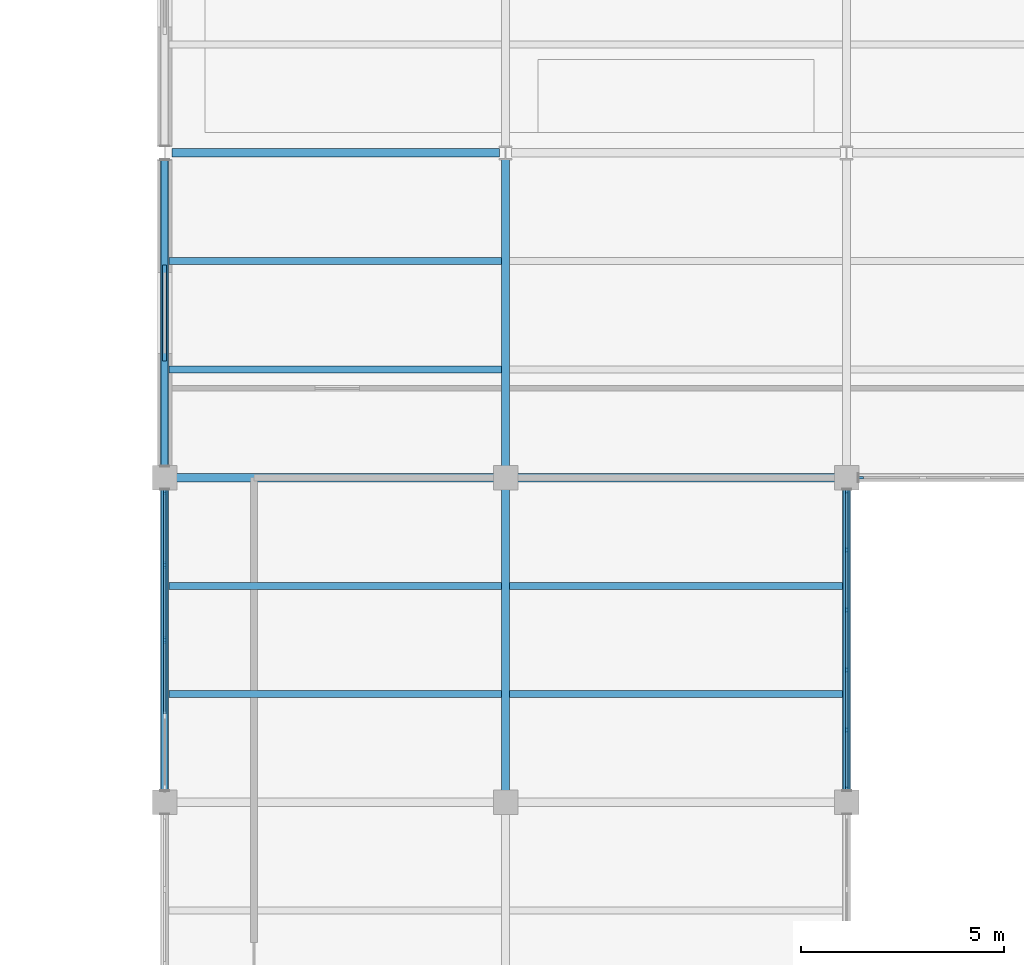
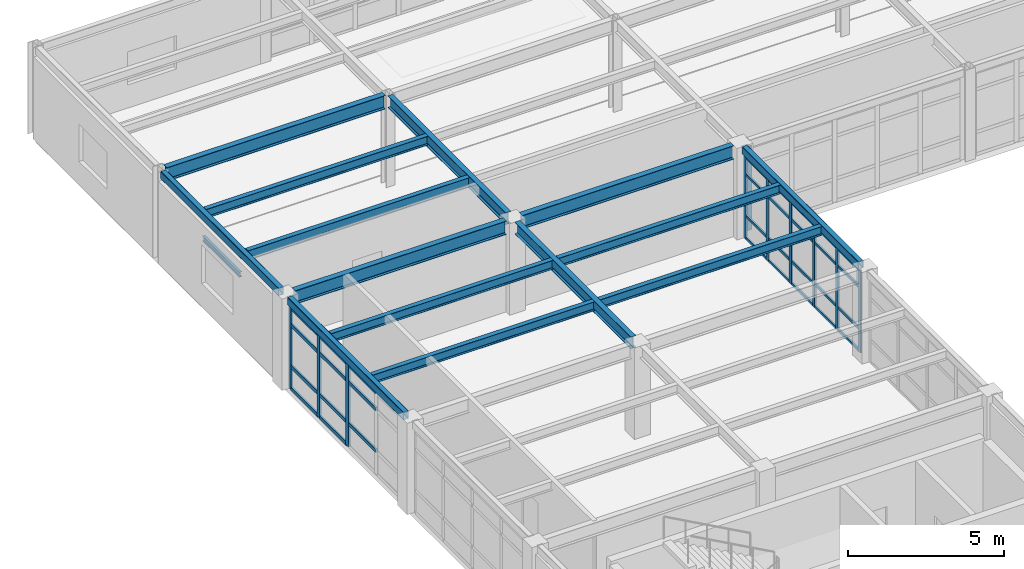
# One storey, part 27 of 96: 41 members, 15 beams, 3 elements without a shape of their own.
"""IFC4 building model written with IfcOpenShell, lengths in metres."""

from ifc_helpers import new_model, si_unit, direction, frame, origin, origin_2d, place, context, subcontext, project, spatial, rectangle, hollow_rectangle, i_section, extrude, material, layer, layer_set, material_profile, profile_set, type_object, element, aggregate, save


model = new_model("IFC4")

# Units and contexts
model_context = context("Model", 3, precision=1e-05, world=origin(), true_north=direction((0.0, 1.0)))
body_context = subcontext(model_context, "Body", "Model", "MODEL_VIEW")
ifc_project = project(units=[si_unit("LENGTHUNIT", "METRE"), si_unit("AREAUNIT", "SQUARE_METRE"), si_unit("VOLUMEUNIT", "CUBIC_METRE"), si_unit("PLANEANGLEUNIT", "RADIAN"), si_unit("MASSUNIT", "GRAM", prefix="KILO")], contexts=[model_context])

# Site, building, storey
site_placement = place(None, origin())
site = spatial("IfcSite", under=ifc_project, at=site_placement, CompositionType="ELEMENT")
building_placement = place(site_placement, origin())
building = spatial("IfcBuilding", under=site, at=building_placement, Name="Kranzveld Transit Interchange", CompositionType="ELEMENT")
storey_placement = place(building_placement, frame((0.0, 0.0, 9.52001953125)))
storey = spatial("IfcBuildingStorey", under=building, at=storey_placement, Name="L02", CompositionType="ELEMENT", Elevation=9.52001953125)

# Beams
ifc_material_1 = material(Name="Steel S355JR", Category="steel")
ifc_material_profile_1 = material_profile(ifc_material_1, i_section(OverallWidth=0.19189453125, OverallDepth=0.46337890625, WebThickness=0.010498046875, FlangeThickness=0.017578125, FilletRadius=0.01025390625, at=origin_2d()), Name="UB 457x191x89")
ifc_profile_set_1 = profile_set([ifc_material_profile_1], Name="Steel S355JR")
beam_type_1 = type_object("IfcBeamType", Name="Beam Steel UB 457x191x89 S355JR", PredefinedType="BEAM", material=ifc_profile_set_1)
beam_1_placement = place(storey_placement, frame((109.199951171875, 88.2900390625, 3.33837890625), z_axis=(0.0, 1.0, 0.0), x_axis=(-1.0, 0.0, 0.0)))
element("IfcBeam", 1, at=beam_1_placement, inside=storey, type_object=beam_type_1, Name="L02 Girder 14/M-N", PredefinedType="BEAM", context=body_context, shape_type="SweptSolid", body=[
    extrude(i_section(OverallWidth=0.19189453125, OverallDepth=0.46337890625, WebThickness=0.010498046875, FlangeThickness=0.017578125, FilletRadius=0.01025390625, at=origin_2d()), origin(), (0.0, 0.0, 1.0), 7.419921875),
])
beam_2_placement = place(storey_placement, frame((109.199951171875, 96.2900390625, 3.33837890625), z_axis=(0.0, 1.0, 0.0), x_axis=(-1.0, 0.0, 0.0)))
element("IfcBeam", 2, at=beam_2_placement, inside=storey, type_object=beam_type_1, Name="L02 Girder 14/N-P", PredefinedType="BEAM", context=body_context, shape_type="SweptSolid", body=[
    extrude(i_section(OverallWidth=0.19189453125, OverallDepth=0.46337890625, WebThickness=0.010498046875, FlangeThickness=0.017578125, FilletRadius=0.01025390625, at=origin_2d()), origin(), (0.0, 0.0, 1.0), 7.550048828125),
])

# Curtain wall, members
ifc_material_2 = material(Name="Bronze-anodised thermally broken aluminium", Category="aluminium")
ifc_layer_1 = layer(ifc_material_2, 0.14990234375)
ifc_layer_set_1 = layer_set([ifc_layer_1], Name="Bronze-anodised thermally broken aluminium")
curtain_wall_type_1 = type_object("IfcCurtainWallType", Name="Public Passage Clerestory Screen CW-4", PredefinedType="USERDEFINED", material=ifc_layer_set_1)
curtain_wall_1_placement = place(storey_placement, origin())
curtain_wall_1 = element("IfcCurtainWall", 3, at=curtain_wall_1_placement, inside=storey, type_object=curtain_wall_type_1, Name="L02 Curtain Wall 15/M-15/N", ObjectType="CURTAIN WALL", PredefinedType="USERDEFINED")
ifc_material_3 = material(Name="Bronze-anodised thermally broken aluminium", Category="aluminium")
ifc_material_profile_2 = material_profile(ifc_material_3, rectangle(XDim=0.06005859375, YDim=0.14990234375, at=origin_2d()), Name="ALU MULLION 60x150")
ifc_profile_set_2 = profile_set([ifc_material_profile_2], Name="Bronze-anodised thermally broken aluminium")
member_type_1 = type_object("IfcMemberType", Name="Curtain Wall Mullion 60x150 Alu", PredefinedType="MULLION", material=ifc_profile_set_2)
member_1_placement = place(storey_placement, frame((117.60009765625, 88.330078125, 0.0), z_axis=(0.0, 0.0, 1.0), x_axis=(-1.0, 0.0, 0.0)))
member_1 = element("IfcMember", 4, at=member_1_placement, type_object=member_type_1, Name="CW-4 mullion 1", PredefinedType="MULLION", context=body_context, shape_type="SweptSolid", body=[
    extrude(rectangle(XDim=0.06005859375, YDim=0.14990234375, at=origin_2d()), origin(), (0.0, 0.0, 1.0), 3.218505859375),
])
member_2_placement = place(storey_placement, frame((117.60009765625, 89.780029296875, 0.0), z_axis=(0.0, 0.0, 1.0), x_axis=(-1.0, 0.0, 0.0)))
member_2 = element("IfcMember", 5, at=member_2_placement, type_object=member_type_1, Name="CW-4 mullion 2", PredefinedType="MULLION", context=body_context, shape_type="SweptSolid", body=[
    extrude(rectangle(XDim=0.06005859375, YDim=0.14990234375, at=origin_2d()), origin(), (0.0, 0.0, 1.0), 3.218505859375),
])
member_3_placement = place(storey_placement, frame((117.60009765625, 91.260009765625, 0.0), z_axis=(0.0, 0.0, 1.0), x_axis=(-1.0, 0.0, 0.0)))
member_3 = element("IfcMember", 6, at=member_3_placement, type_object=member_type_1, Name="CW-4 mullion 3", PredefinedType="MULLION", context=body_context, shape_type="SweptSolid", body=[
    extrude(rectangle(XDim=0.06005859375, YDim=0.14990234375, at=origin_2d()), origin(), (0.0, 0.0, 1.0), 3.218505859375),
])
member_4_placement = place(storey_placement, frame((117.60009765625, 92.739990234375, 0.0), z_axis=(0.0, 0.0, 1.0), x_axis=(-1.0, 0.0, 0.0)))
member_4 = element("IfcMember", 7, at=member_4_placement, type_object=member_type_1, Name="CW-4 mullion 4", PredefinedType="MULLION", context=body_context, shape_type="SweptSolid", body=[
    extrude(rectangle(XDim=0.06005859375, YDim=0.14990234375, at=origin_2d()), origin(), (0.0, 0.0, 1.0), 3.218505859375),
])
member_5_placement = place(storey_placement, frame((117.60009765625, 94.219970703125, 0.0), z_axis=(0.0, 0.0, 1.0), x_axis=(-1.0, 0.0, 0.0)))
member_5 = element("IfcMember", 8, at=member_5_placement, type_object=member_type_1, Name="CW-4 mullion 5", PredefinedType="MULLION", context=body_context, shape_type="SweptSolid", body=[
    extrude(rectangle(XDim=0.06005859375, YDim=0.14990234375, at=origin_2d()), origin(), (0.0, 0.0, 1.0), 3.218505859375),
])
member_6_placement = place(storey_placement, frame((117.60009765625, 95.669921875, 0.0), z_axis=(0.0, 0.0, 1.0), x_axis=(-1.0, 0.0, 0.0)))
member_6 = element("IfcMember", 9, at=member_6_placement, type_object=member_type_1, Name="CW-4 mullion 6", PredefinedType="MULLION", context=body_context, shape_type="SweptSolid", body=[
    extrude(rectangle(XDim=0.06005859375, YDim=0.14990234375, at=origin_2d()), origin(), (0.0, 0.0, 1.0), 3.218505859375),
])

# Curtain wall, member
ifc_material_4 = material(Name="Bronze-anodised thermally broken aluminium", Category="aluminium")
ifc_layer_2 = layer(ifc_material_4, 0.155029296875)
ifc_layer_set_2 = layer_set([ifc_layer_2], Name="Bronze-anodised thermally broken aluminium")
curtain_wall_type_2 = type_object("IfcCurtainWallType", Name="Operations Courtyard Glazed Screen CW-6", PredefinedType="USERDEFINED", material=ifc_layer_set_2)
curtain_wall_2_placement = place(storey_placement, origin())
curtain_wall_2 = element("IfcCurtainWall", 10, at=curtain_wall_2_placement, inside=storey, type_object=curtain_wall_type_2, Name="L02 Curtain Wall 15/N-16/N", ObjectType="CURTAIN WALL", PredefinedType="USERDEFINED")
ifc_material_5 = material(Name="Bronze-anodised thermally broken aluminium", Category="aluminium")
ifc_material_profile_3 = material_profile(ifc_material_5, rectangle(XDim=0.06494140625, YDim=0.1650390625, at=origin_2d()), Name="ALU MULLION 65x165")
ifc_profile_set_3 = profile_set([ifc_material_profile_3], Name="Bronze-anodised thermally broken aluminium")
member_type_2 = type_object("IfcMemberType", Name="Curtain Wall Mullion 65x165 Alu", PredefinedType="MULLION", material=ifc_profile_set_3)
member_7_placement = place(storey_placement, frame((117.9326171875, 96.0, 0.0), z_axis=(0.0, 0.0, 1.0), x_axis=(0.0, 1.0, 0.0)))
member_7 = element("IfcMember", 11, at=member_7_placement, type_object=member_type_2, Name="CW-6 mullion 1", PredefinedType="MULLION", context=body_context, shape_type="SweptSolid", body=[
    extrude(rectangle(XDim=0.06494140625, YDim=0.1650390625, at=origin_2d()), origin(), (0.0, 0.0, 1.0), 3.27001953125),
])
aggregate(curtain_wall_2, [member_7])

# Curtain wall, members
ifc_material_6 = material(Name="Bronze-anodised thermally broken aluminium", Category="aluminium")
ifc_layer_3 = layer(ifc_material_6, 0.179931640625)
ifc_layer_set_3 = layer_set([ifc_layer_3], Name="Bronze-anodised thermally broken aluminium")
curtain_wall_type_3 = type_object("IfcCurtainWallType", Name="Concourse Unitised Curtain Wall CW-1", PredefinedType="USERDEFINED", material=ifc_layer_set_3)
curtain_wall_3_placement = place(storey_placement, origin())
curtain_wall_3 = element("IfcCurtainWall", 12, at=curtain_wall_3_placement, inside=storey, type_object=curtain_wall_type_3, Name="L02 Curtain Wall 13/M-13/N", ObjectType="CURTAIN WALL", PredefinedType="USERDEFINED")
ifc_material_7 = material(Name="Bronze-anodised thermally broken aluminium", Category="aluminium")
ifc_material_profile_4 = material_profile(ifc_material_7, rectangle(XDim=0.06494140625, YDim=0.179931640625, at=origin_2d()), Name="ALU MULLION 65x180")
ifc_profile_set_4 = profile_set([ifc_material_profile_4], Name="Bronze-anodised thermally broken aluminium")
member_type_3 = type_object("IfcMemberType", Name="Curtain Wall Mullion 65x180 Alu", PredefinedType="MULLION", material=ifc_profile_set_4)
member_8_placement = place(storey_placement, frame((100.800048828125, 92.0, 0.0), z_axis=(0.0, 0.0, 1.0), x_axis=(-1.0, 0.0, 0.0)))
member_8 = element("IfcMember", 13, at=member_8_placement, type_object=member_type_3, Name="CW-1 mullion 3", PredefinedType="MULLION", context=body_context, shape_type="SweptSolid", body=[
    extrude(rectangle(XDim=0.06494140625, YDim=0.179931640625, at=origin_2d()), origin(), (0.0, 0.0, 1.0), 3.218505859375),
])
member_9_placement = place(storey_placement, frame((100.800048828125, 93.85009765625, 0.0), z_axis=(0.0, 0.0, 1.0), x_axis=(-1.0, 0.0, 0.0)))
member_9 = element("IfcMember", 14, at=member_9_placement, type_object=member_type_3, Name="CW-1 mullion 4", PredefinedType="MULLION", context=body_context, shape_type="SweptSolid", body=[
    extrude(rectangle(XDim=0.06494140625, YDim=0.179931640625, at=origin_2d()), origin(), (0.0, 0.0, 1.0), 3.218505859375),
])
member_10_placement = place(storey_placement, frame((100.800048828125, 95.66748046875, 0.0), z_axis=(0.0, 0.0, 1.0), x_axis=(-1.0, 0.0, 0.0)))
member_10 = element("IfcMember", 15, at=member_10_placement, type_object=member_type_3, Name="CW-1 mullion 5", PredefinedType="MULLION", context=body_context, shape_type="SweptSolid", body=[
    extrude(rectangle(XDim=0.06494140625, YDim=0.179931640625, at=origin_2d()), origin(), (0.0, 0.0, 1.0), 3.218505859375),
])

# Member
ifc_material_8 = material(Name="Bronze-anodised thermally broken aluminium", Category="aluminium")
ifc_material_profile_5 = material_profile(ifc_material_8, rectangle(XDim=0.06005859375, YDim=0.110107421875, at=origin_2d()), Name="ALU TRANSOM 60x110")
ifc_profile_set_5 = profile_set([ifc_material_profile_5], Name="Bronze-anodised thermally broken aluminium")
member_type_4 = type_object("IfcMemberType", Name="Curtain Wall Transom 60x110 Alu", PredefinedType="USERDEFINED", material=ifc_profile_set_5)
member_11_placement = place(storey_placement, frame((117.60009765625, 88.360107421875, 0.030029296875), z_axis=(0.0, 1.0, 0.0), x_axis=(-1.0, 0.0, 0.0)))
member_11 = element("IfcMember", 16, at=member_11_placement, type_object=member_type_4, Name="CW-4 transom 1.1", ObjectType="TRANSOM", PredefinedType="USERDEFINED", context=body_context, shape_type="SweptSolid", body=[
    extrude(rectangle(XDim=0.06005859375, YDim=0.110107421875, at=origin_2d()), origin(), (0.0, 0.0, 1.0), 1.389892578125),
])

member_12_placement = place(storey_placement, frame((117.60009765625, 88.360107421875, 0.89990234375), z_axis=(0.0, 1.0, 0.0), x_axis=(-1.0, 0.0, 0.0)))
member_12 = element("IfcMember", 17, at=member_12_placement, type_object=member_type_4, Name="CW-4 transom 1.2", ObjectType="TRANSOM", PredefinedType="USERDEFINED", context=body_context, shape_type="SweptSolid", body=[
    extrude(rectangle(XDim=0.06005859375, YDim=0.110107421875, at=origin_2d()), origin(), (0.0, 0.0, 1.0), 1.389892578125),
])

member_13_placement = place(storey_placement, frame((117.60009765625, 88.360107421875, 2.5185546875), z_axis=(0.0, 1.0, 0.0), x_axis=(-1.0, 0.0, 0.0)))
member_13 = element("IfcMember", 18, at=member_13_placement, type_object=member_type_4, Name="CW-4 transom 1.3", ObjectType="TRANSOM", PredefinedType="USERDEFINED", context=body_context, shape_type="SweptSolid", body=[
    extrude(rectangle(XDim=0.06005859375, YDim=0.110107421875, at=origin_2d()), origin(), (0.0, 0.0, 1.0), 1.389892578125),
])

member_14_placement = place(storey_placement, frame((117.60009765625, 88.360107421875, 3.1884765625), z_axis=(0.0, 1.0, 0.0), x_axis=(-1.0, 0.0, 0.0)))
member_14 = element("IfcMember", 19, at=member_14_placement, type_object=member_type_4, Name="CW-4 transom 1.4", ObjectType="TRANSOM", PredefinedType="USERDEFINED", context=body_context, shape_type="SweptSolid", body=[
    extrude(rectangle(XDim=0.06005859375, YDim=0.110107421875, at=origin_2d()), origin(), (0.0, 0.0, 1.0), 1.389892578125),
])

member_15_placement = place(storey_placement, frame((117.60009765625, 89.81005859375, 0.030029296875), z_axis=(0.0, 1.0, 0.0), x_axis=(-1.0, 0.0, 0.0)))
member_15 = element("IfcMember", 20, at=member_15_placement, type_object=member_type_4, Name="CW-4 transom 2.1", ObjectType="TRANSOM", PredefinedType="USERDEFINED", context=body_context, shape_type="SweptSolid", body=[
    extrude(rectangle(XDim=0.06005859375, YDim=0.110107421875, at=origin_2d()), origin(), (0.0, 0.0, 1.0), 1.419921875),
])

member_16_placement = place(storey_placement, frame((117.60009765625, 89.81005859375, 0.89990234375), z_axis=(0.0, 1.0, 0.0), x_axis=(-1.0, 0.0, 0.0)))
member_16 = element("IfcMember", 21, at=member_16_placement, type_object=member_type_4, Name="CW-4 transom 2.2", ObjectType="TRANSOM", PredefinedType="USERDEFINED", context=body_context, shape_type="SweptSolid", body=[
    extrude(rectangle(XDim=0.06005859375, YDim=0.110107421875, at=origin_2d()), origin(), (0.0, 0.0, 1.0), 1.419921875),
])

member_17_placement = place(storey_placement, frame((117.60009765625, 89.81005859375, 2.5185546875), z_axis=(0.0, 1.0, 0.0), x_axis=(-1.0, 0.0, 0.0)))
member_17 = element("IfcMember", 22, at=member_17_placement, type_object=member_type_4, Name="CW-4 transom 2.3", ObjectType="TRANSOM", PredefinedType="USERDEFINED", context=body_context, shape_type="SweptSolid", body=[
    extrude(rectangle(XDim=0.06005859375, YDim=0.110107421875, at=origin_2d()), origin(), (0.0, 0.0, 1.0), 1.419921875),
])

member_18_placement = place(storey_placement, frame((117.60009765625, 89.81005859375, 3.1884765625), z_axis=(0.0, 1.0, 0.0), x_axis=(-1.0, 0.0, 0.0)))
member_18 = element("IfcMember", 23, at=member_18_placement, type_object=member_type_4, Name="CW-4 transom 2.4", ObjectType="TRANSOM", PredefinedType="USERDEFINED", context=body_context, shape_type="SweptSolid", body=[
    extrude(rectangle(XDim=0.06005859375, YDim=0.110107421875, at=origin_2d()), origin(), (0.0, 0.0, 1.0), 1.419921875),
])

member_19_placement = place(storey_placement, frame((117.60009765625, 91.2900390625, 0.030029296875), z_axis=(0.0, 1.0, 0.0), x_axis=(-1.0, 0.0, 0.0)))
member_19 = element("IfcMember", 24, at=member_19_placement, type_object=member_type_4, Name="CW-4 transom 3.1", ObjectType="TRANSOM", PredefinedType="USERDEFINED", context=body_context, shape_type="SweptSolid", body=[
    extrude(rectangle(XDim=0.06005859375, YDim=0.110107421875, at=origin_2d()), origin(), (0.0, 0.0, 1.0), 1.419921875),
])

member_20_placement = place(storey_placement, frame((117.60009765625, 91.2900390625, 0.89990234375), z_axis=(0.0, 1.0, 0.0), x_axis=(-1.0, 0.0, 0.0)))
member_20 = element("IfcMember", 25, at=member_20_placement, type_object=member_type_4, Name="CW-4 transom 3.2", ObjectType="TRANSOM", PredefinedType="USERDEFINED", context=body_context, shape_type="SweptSolid", body=[
    extrude(rectangle(XDim=0.06005859375, YDim=0.110107421875, at=origin_2d()), origin(), (0.0, 0.0, 1.0), 1.419921875),
])

member_21_placement = place(storey_placement, frame((117.60009765625, 91.2900390625, 2.5185546875), z_axis=(0.0, 1.0, 0.0), x_axis=(-1.0, 0.0, 0.0)))
member_21 = element("IfcMember", 26, at=member_21_placement, type_object=member_type_4, Name="CW-4 transom 3.3", ObjectType="TRANSOM", PredefinedType="USERDEFINED", context=body_context, shape_type="SweptSolid", body=[
    extrude(rectangle(XDim=0.06005859375, YDim=0.110107421875, at=origin_2d()), origin(), (0.0, 0.0, 1.0), 1.419921875),
])

member_22_placement = place(storey_placement, frame((117.60009765625, 91.2900390625, 3.1884765625), z_axis=(0.0, 1.0, 0.0), x_axis=(-1.0, 0.0, 0.0)))
member_22 = element("IfcMember", 27, at=member_22_placement, type_object=member_type_4, Name="CW-4 transom 3.4", ObjectType="TRANSOM", PredefinedType="USERDEFINED", context=body_context, shape_type="SweptSolid", body=[
    extrude(rectangle(XDim=0.06005859375, YDim=0.110107421875, at=origin_2d()), origin(), (0.0, 0.0, 1.0), 1.419921875),
])

member_23_placement = place(storey_placement, frame((117.60009765625, 92.77001953125, 0.030029296875), z_axis=(0.0, 1.0, 0.0), x_axis=(-1.0, 0.0, 0.0)))
member_23 = element("IfcMember", 28, at=member_23_placement, type_object=member_type_4, Name="CW-4 transom 4.1", ObjectType="TRANSOM", PredefinedType="USERDEFINED", context=body_context, shape_type="SweptSolid", body=[
    extrude(rectangle(XDim=0.06005859375, YDim=0.110107421875, at=origin_2d()), origin(), (0.0, 0.0, 1.0), 1.419921875),
])

member_24_placement = place(storey_placement, frame((117.60009765625, 92.77001953125, 0.89990234375), z_axis=(0.0, 1.0, 0.0), x_axis=(-1.0, 0.0, 0.0)))
member_24 = element("IfcMember", 29, at=member_24_placement, type_object=member_type_4, Name="CW-4 transom 4.2", ObjectType="TRANSOM", PredefinedType="USERDEFINED", context=body_context, shape_type="SweptSolid", body=[
    extrude(rectangle(XDim=0.06005859375, YDim=0.110107421875, at=origin_2d()), origin(), (0.0, 0.0, 1.0), 1.419921875),
])

member_25_placement = place(storey_placement, frame((117.60009765625, 92.77001953125, 2.5185546875), z_axis=(0.0, 1.0, 0.0), x_axis=(-1.0, 0.0, 0.0)))
member_25 = element("IfcMember", 30, at=member_25_placement, type_object=member_type_4, Name="CW-4 transom 4.3", ObjectType="TRANSOM", PredefinedType="USERDEFINED", context=body_context, shape_type="SweptSolid", body=[
    extrude(rectangle(XDim=0.06005859375, YDim=0.110107421875, at=origin_2d()), origin(), (0.0, 0.0, 1.0), 1.419921875),
])

member_26_placement = place(storey_placement, frame((117.60009765625, 92.77001953125, 3.1884765625), z_axis=(0.0, 1.0, 0.0), x_axis=(-1.0, 0.0, 0.0)))
member_26 = element("IfcMember", 31, at=member_26_placement, type_object=member_type_4, Name="CW-4 transom 4.4", ObjectType="TRANSOM", PredefinedType="USERDEFINED", context=body_context, shape_type="SweptSolid", body=[
    extrude(rectangle(XDim=0.06005859375, YDim=0.110107421875, at=origin_2d()), origin(), (0.0, 0.0, 1.0), 1.419921875),
])

member_27_placement = place(storey_placement, frame((117.60009765625, 94.25, 0.030029296875), z_axis=(0.0, 1.0, 0.0), x_axis=(-1.0, 0.0, 0.0)))
member_27 = element("IfcMember", 32, at=member_27_placement, type_object=member_type_4, Name="CW-4 transom 5.1", ObjectType="TRANSOM", PredefinedType="USERDEFINED", context=body_context, shape_type="SweptSolid", body=[
    extrude(rectangle(XDim=0.06005859375, YDim=0.110107421875, at=origin_2d()), origin(), (0.0, 0.0, 1.0), 1.389892578125),
])

member_28_placement = place(storey_placement, frame((117.60009765625, 94.25, 0.89990234375), z_axis=(0.0, 1.0, 0.0), x_axis=(-1.0, 0.0, 0.0)))
member_28 = element("IfcMember", 33, at=member_28_placement, type_object=member_type_4, Name="CW-4 transom 5.2", ObjectType="TRANSOM", PredefinedType="USERDEFINED", context=body_context, shape_type="SweptSolid", body=[
    extrude(rectangle(XDim=0.06005859375, YDim=0.110107421875, at=origin_2d()), origin(), (0.0, 0.0, 1.0), 1.389892578125),
])

member_29_placement = place(storey_placement, frame((117.60009765625, 94.25, 2.5185546875), z_axis=(0.0, 1.0, 0.0), x_axis=(-1.0, 0.0, 0.0)))
member_29 = element("IfcMember", 34, at=member_29_placement, type_object=member_type_4, Name="CW-4 transom 5.3", ObjectType="TRANSOM", PredefinedType="USERDEFINED", context=body_context, shape_type="SweptSolid", body=[
    extrude(rectangle(XDim=0.06005859375, YDim=0.110107421875, at=origin_2d()), origin(), (0.0, 0.0, 1.0), 1.389892578125),
])

member_30_placement = place(storey_placement, frame((117.60009765625, 94.25, 3.1884765625), z_axis=(0.0, 1.0, 0.0), x_axis=(-1.0, 0.0, 0.0)))
member_30 = element("IfcMember", 35, at=member_30_placement, type_object=member_type_4, Name="CW-4 transom 5.4", ObjectType="TRANSOM", PredefinedType="USERDEFINED", context=body_context, shape_type="SweptSolid", body=[
    extrude(rectangle(XDim=0.06005859375, YDim=0.110107421875, at=origin_2d()), origin(), (0.0, 0.0, 1.0), 1.389892578125),
])

aggregate(curtain_wall_1, [member_1, member_2, member_3, member_4, member_5, member_6, member_11, member_12, member_13, member_14, member_15, member_16, member_17, member_18, member_19, member_20, member_21, member_22, member_23, member_24, member_25, member_26, member_27, member_28, member_29, member_30])

ifc_material_9 = material(Name="Bronze-anodised thermally broken aluminium", Category="aluminium")
ifc_material_profile_6 = material_profile(ifc_material_9, rectangle(XDim=0.06494140625, YDim=0.139892578125, at=origin_2d()), Name="ALU TRANSOM 65x140")
ifc_profile_set_6 = profile_set([ifc_material_profile_6], Name="Bronze-anodised thermally broken aluminium")
member_type_5 = type_object("IfcMemberType", Name="Curtain Wall Transom 65x140 Alu", PredefinedType="USERDEFINED", material=ifc_profile_set_6)
member_31_placement = place(storey_placement, frame((100.800048828125, 90.1826171875, 0.89990234375), z_axis=(0.0, 1.0, 0.0), x_axis=(-1.0, 0.0, 0.0)))
member_31 = element("IfcMember", 36, at=member_31_placement, type_object=member_type_5, Name="CW-1 transom 2.2", ObjectType="TRANSOM", PredefinedType="USERDEFINED", context=body_context, shape_type="SweptSolid", body=[
    extrude(rectangle(XDim=0.06494140625, YDim=0.139892578125, at=origin_2d()), origin(), (0.0, 0.0, 1.0), 1.784912109375),
])

member_32_placement = place(storey_placement, frame((100.800048828125, 90.1826171875, 2.5185546875), z_axis=(0.0, 1.0, 0.0), x_axis=(-1.0, 0.0, 0.0)))
member_32 = element("IfcMember", 37, at=member_32_placement, type_object=member_type_5, Name="CW-1 transom 2.3", ObjectType="TRANSOM", PredefinedType="USERDEFINED", context=body_context, shape_type="SweptSolid", body=[
    extrude(rectangle(XDim=0.06494140625, YDim=0.139892578125, at=origin_2d()), origin(), (0.0, 0.0, 1.0), 1.784912109375),
])

member_33_placement = place(storey_placement, frame((100.800048828125, 90.1826171875, 3.18603515625), z_axis=(0.0, 1.0, 0.0), x_axis=(-1.0, 0.0, 0.0)))
member_33 = element("IfcMember", 38, at=member_33_placement, type_object=member_type_5, Name="CW-1 transom 2.4", ObjectType="TRANSOM", PredefinedType="USERDEFINED", context=body_context, shape_type="SweptSolid", body=[
    extrude(rectangle(XDim=0.06494140625, YDim=0.139892578125, at=origin_2d()), origin(), (0.0, 0.0, 1.0), 1.784912109375),
])

member_34_placement = place(storey_placement, frame((100.800048828125, 92.032470703125, 0.032470703125), z_axis=(0.0, 1.0, 0.0), x_axis=(-1.0, 0.0, 0.0)))
member_34 = element("IfcMember", 39, at=member_34_placement, type_object=member_type_5, Name="CW-1 transom 3.1", ObjectType="TRANSOM", PredefinedType="USERDEFINED", context=body_context, shape_type="SweptSolid", body=[
    extrude(rectangle(XDim=0.06494140625, YDim=0.139892578125, at=origin_2d()), origin(), (0.0, 0.0, 1.0), 1.784912109375),
])

member_35_placement = place(storey_placement, frame((100.800048828125, 92.032470703125, 0.89990234375), z_axis=(0.0, 1.0, 0.0), x_axis=(-1.0, 0.0, 0.0)))
member_35 = element("IfcMember", 40, at=member_35_placement, type_object=member_type_5, Name="CW-1 transom 3.2", ObjectType="TRANSOM", PredefinedType="USERDEFINED", context=body_context, shape_type="SweptSolid", body=[
    extrude(rectangle(XDim=0.06494140625, YDim=0.139892578125, at=origin_2d()), origin(), (0.0, 0.0, 1.0), 1.784912109375),
])

member_36_placement = place(storey_placement, frame((100.800048828125, 92.032470703125, 2.5185546875), z_axis=(0.0, 1.0, 0.0), x_axis=(-1.0, 0.0, 0.0)))
member_36 = element("IfcMember", 41, at=member_36_placement, type_object=member_type_5, Name="CW-1 transom 3.3", ObjectType="TRANSOM", PredefinedType="USERDEFINED", context=body_context, shape_type="SweptSolid", body=[
    extrude(rectangle(XDim=0.06494140625, YDim=0.139892578125, at=origin_2d()), origin(), (0.0, 0.0, 1.0), 1.784912109375),
])

member_37_placement = place(storey_placement, frame((100.800048828125, 92.032470703125, 3.18603515625), z_axis=(0.0, 1.0, 0.0), x_axis=(-1.0, 0.0, 0.0)))
member_37 = element("IfcMember", 42, at=member_37_placement, type_object=member_type_5, Name="CW-1 transom 3.4", ObjectType="TRANSOM", PredefinedType="USERDEFINED", context=body_context, shape_type="SweptSolid", body=[
    extrude(rectangle(XDim=0.06494140625, YDim=0.139892578125, at=origin_2d()), origin(), (0.0, 0.0, 1.0), 1.784912109375),
])

member_38_placement = place(storey_placement, frame((100.800048828125, 93.882568359375, 0.032470703125), z_axis=(0.0, 1.0, 0.0), x_axis=(-1.0, 0.0, 0.0)))
member_38 = element("IfcMember", 43, at=member_38_placement, type_object=member_type_5, Name="CW-1 transom 4.1", ObjectType="TRANSOM", PredefinedType="USERDEFINED", context=body_context, shape_type="SweptSolid", body=[
    extrude(rectangle(XDim=0.06494140625, YDim=0.139892578125, at=origin_2d()), origin(), (0.0, 0.0, 1.0), 1.75244140625),
])

member_39_placement = place(storey_placement, frame((100.800048828125, 93.882568359375, 0.89990234375), z_axis=(0.0, 1.0, 0.0), x_axis=(-1.0, 0.0, 0.0)))
member_39 = element("IfcMember", 44, at=member_39_placement, type_object=member_type_5, Name="CW-1 transom 4.2", ObjectType="TRANSOM", PredefinedType="USERDEFINED", context=body_context, shape_type="SweptSolid", body=[
    extrude(rectangle(XDim=0.06494140625, YDim=0.139892578125, at=origin_2d()), origin(), (0.0, 0.0, 1.0), 1.75244140625),
])

member_40_placement = place(storey_placement, frame((100.800048828125, 93.882568359375, 2.5185546875), z_axis=(0.0, 1.0, 0.0), x_axis=(-1.0, 0.0, 0.0)))
member_40 = element("IfcMember", 45, at=member_40_placement, type_object=member_type_5, Name="CW-1 transom 4.3", ObjectType="TRANSOM", PredefinedType="USERDEFINED", context=body_context, shape_type="SweptSolid", body=[
    extrude(rectangle(XDim=0.06494140625, YDim=0.139892578125, at=origin_2d()), origin(), (0.0, 0.0, 1.0), 1.75244140625),
])

member_41_placement = place(storey_placement, frame((100.800048828125, 93.882568359375, 3.18603515625), z_axis=(0.0, 1.0, 0.0), x_axis=(-1.0, 0.0, 0.0)))
member_41 = element("IfcMember", 46, at=member_41_placement, type_object=member_type_5, Name="CW-1 transom 4.4", ObjectType="TRANSOM", PredefinedType="USERDEFINED", context=body_context, shape_type="SweptSolid", body=[
    extrude(rectangle(XDim=0.06494140625, YDim=0.139892578125, at=origin_2d()), origin(), (0.0, 0.0, 1.0), 1.75244140625),
])

aggregate(curtain_wall_3, [member_8, member_9, member_10, member_31, member_32, member_33, member_34, member_35, member_36, member_37, member_38, member_39, member_40, member_41])

# Beams
ifc_material_10 = material(Name="Steel S355JR", Category="steel")
ifc_material_profile_7 = material_profile(ifc_material_10, hollow_rectangle(XDim=0.199951171875, YDim=0.300048828125, WallThickness=0.010009765625, InnerFilletRadius=0.014892578125, OuterFilletRadius=0.02490234375, at=origin_2d()), Name="RHS 300x200x10")
ifc_profile_set_7 = profile_set([ifc_material_profile_7], Name="Steel S355JR")
beam_type_2 = type_object("IfcBeamType", Name="Edge Spandrel RHS 300x200x10 S355JR", PredefinedType="SPANDREL", material=ifc_profile_set_7)
beam_3_placement = place(storey_placement, frame((100.800048828125, 88.2900390625, 3.419921875), z_axis=(0.0, 1.0, 0.0), x_axis=(-1.0, 0.0, 0.0)))
element("IfcBeam", 47, at=beam_3_placement, inside=storey, type_object=beam_type_2, Name="L02 Girder 13/M-N", PredefinedType="SPANDREL", context=body_context, shape_type="SweptSolid", body=[
    extrude(hollow_rectangle(XDim=0.199951171875, YDim=0.300048828125, WallThickness=0.010009765625, InnerFilletRadius=0.014892578125, OuterFilletRadius=0.02490234375, at=origin_2d()), origin(), (0.0, 0.0, 1.0), 7.419921875),
])
beam_4_placement = place(storey_placement, frame((100.800048828125, 96.2900390625, 3.419921875), z_axis=(0.0, 1.0, 0.0), x_axis=(-1.0, 0.0, 0.0)))
element("IfcBeam", 48, at=beam_4_placement, inside=storey, type_object=beam_type_2, Name="L02 Girder 13/N-P", PredefinedType="SPANDREL", context=body_context, shape_type="SweptSolid", body=[
    extrude(hollow_rectangle(XDim=0.199951171875, YDim=0.300048828125, WallThickness=0.010009765625, InnerFilletRadius=0.014892578125, OuterFilletRadius=0.02490234375, at=origin_2d()), origin(), (0.0, 0.0, 1.0), 7.53271484375),
])
beam_5_placement = place(storey_placement, frame((117.60009765625, 88.2900390625, 3.419921875), z_axis=(0.0, 1.0, 0.0), x_axis=(-1.0, 0.0, 0.0)))
element("IfcBeam", 49, at=beam_5_placement, inside=storey, type_object=beam_type_2, Name="L02 Girder 15/M-N", PredefinedType="SPANDREL", context=body_context, shape_type="SweptSolid", body=[
    extrude(hollow_rectangle(XDim=0.199951171875, YDim=0.300048828125, WallThickness=0.010009765625, InnerFilletRadius=0.014892578125, OuterFilletRadius=0.02490234375, at=origin_2d()), origin(), (0.0, 0.0, 1.0), 7.419921875),
])
ifc_material_11 = material(Name="Steel S355JR", Category="steel")
ifc_material_profile_8 = material_profile(ifc_material_11, i_section(OverallWidth=0.171142578125, OverallDepth=0.351318359375, WebThickness=0.007080078125, FlangeThickness=0.009765625, FilletRadius=0.01025390625, at=origin_2d()), Name="UB 356x171x45")
ifc_profile_set_8 = profile_set([ifc_material_profile_8], Name="Steel S355JR")
beam_type_3 = type_object("IfcBeamType", Name="Floor Joist UB 356x171x45 S355JR", PredefinedType="JOIST", material=ifc_profile_set_8)
for number, where, z_axis, x_axis, name in (
    (50, (100.902099609375, 90.666748046875, 3.394287109375), (1.0, 0.0, 0.0), (0.0, 1.0, 0.0), "L02 Secondary Joist 13-14/M.1"),
    (51, (100.902099609375, 93.333251953125, 3.394287109375), (1.0, 0.0, 0.0), (0.0, 1.0, 0.0), "L02 Secondary Joist 13-14/M.2"),
    (52, (100.902099609375, 98.666748046875, 3.394287109375), (1.0, 0.0, 0.0), (0.0, 1.0, 0.0), "L02 Secondary Joist 13-14/N.1"),
    (53, (100.902099609375, 101.333251953125, 3.394287109375), (1.0, 0.0, 0.0), (0.0, 1.0, 0.0), "L02 Secondary Joist 13-14/N.2"),
):
    element("IfcBeam", number, at=place(storey_placement, frame(where, z_axis=z_axis, x_axis=x_axis)), inside=storey, type_object=beam_type_3, Name=name, PredefinedType="JOIST", context=body_context, shape_type="SweptSolid", body=[
        extrude(i_section(OverallWidth=0.171142578125, OverallDepth=0.351318359375, WebThickness=0.007080078125, FlangeThickness=0.009765625, FilletRadius=0.01025390625, at=origin_2d()), origin(), (0.0, 0.0, 1.0), 8.199951171875),
    ])
for number, where, z_axis, x_axis, name in (
    (54, (109.2978515625, 90.666748046875, 3.394287109375), (1.0, 0.0, 0.0), (0.0, 1.0, 0.0), "L02 Secondary Joist 14-15/M.1"),
    (55, (109.2978515625, 93.333251953125, 3.394287109375), (1.0, 0.0, 0.0), (0.0, 1.0, 0.0), "L02 Secondary Joist 14-15/M.2"),
):
    element("IfcBeam", number, at=place(storey_placement, frame(where, z_axis=z_axis, x_axis=x_axis)), inside=storey, type_object=beam_type_3, Name=name, PredefinedType="JOIST", context=body_context, shape_type="SweptSolid", body=[
        extrude(i_section(OverallWidth=0.171142578125, OverallDepth=0.351318359375, WebThickness=0.007080078125, FlangeThickness=0.009765625, FilletRadius=0.01025390625, at=origin_2d()), origin(), (0.0, 0.0, 1.0), 8.2001953125),
    ])
ifc_material_12 = material(Name="Steel S355JR", Category="steel")
ifc_material_profile_9 = material_profile(ifc_material_12, i_section(OverallWidth=0.209228515625, OverallDepth=0.533203125, WebThickness=0.010009765625, FlangeThickness=0.015625, FilletRadius=0.0126953125, at=origin_2d()), Name="UB 533x210x92")
ifc_profile_set_9 = profile_set([ifc_material_profile_9], Name="Steel S355JR")
beam_type_4 = type_object("IfcBeamType", Name="Girder Steel UB 533x210x92 S355JR", PredefinedType="BEAM", material=ifc_profile_set_9)
beam_6_placement = place(storey_placement, frame((101.090087890625, 96.0, 3.303466796875), z_axis=(1.0, 0.0, 0.0), x_axis=(0.0, 1.0, 0.0)))
element("IfcBeam", 56, at=beam_6_placement, inside=storey, type_object=beam_type_4, Name="L02 Girder 13-14/N", PredefinedType="BEAM", context=body_context, shape_type="SweptSolid", body=[
    extrude(i_section(OverallWidth=0.209228515625, OverallDepth=0.533203125, WebThickness=0.010009765625, FlangeThickness=0.015625, FilletRadius=0.0126953125, at=origin_2d()), origin(), (0.0, 0.0, 1.0), 7.81982421875),
])
beam_7_placement = place(storey_placement, frame((109.489990234375, 96.0, 3.303466796875), z_axis=(1.0, 0.0, 0.0), x_axis=(0.0, 1.0, 0.0)))
element("IfcBeam", 57, at=beam_7_placement, inside=storey, type_object=beam_type_4, Name="L02 Girder 14-15/N", PredefinedType="BEAM", context=body_context, shape_type="SweptSolid", body=[
    extrude(i_section(OverallWidth=0.209228515625, OverallDepth=0.533203125, WebThickness=0.010009765625, FlangeThickness=0.015625, FilletRadius=0.0126953125, at=origin_2d()), origin(), (0.0, 0.0, 1.0), 7.820068359375),
])
beam_8_placement = place(storey_placement, frame((100.977294921875, 104.0, 3.303466796875), z_axis=(1.0, 0.0, 0.0), x_axis=(0.0, 1.0, 0.0)))
element("IfcBeam", 58, at=beam_8_placement, inside=storey, type_object=beam_type_4, Name="L02 Girder 13-14/P", PredefinedType="BEAM", context=body_context, shape_type="SweptSolid", body=[
    extrude(i_section(OverallWidth=0.209228515625, OverallDepth=0.533203125, WebThickness=0.010009765625, FlangeThickness=0.015625, FilletRadius=0.0126953125, at=origin_2d()), origin(), (0.0, 0.0, 1.0), 8.075439453125),
])
ifc_material_13 = material(Name="Steel S355JR", Category="steel")
ifc_material_profile_10 = material_profile(ifc_material_13, i_section(OverallWidth=0.10009765625, OverallDepth=0.199951171875, WebThickness=0.005615234375, FlangeThickness=0.008544921875, FilletRadius=0.011962890625, at=origin_2d()), Name="IPE 200")
ifc_profile_set_10 = profile_set([ifc_material_profile_10], Name="Steel S355JR")
beam_type_5 = type_object("IfcBeamType", Name="Opening Lintel IPE 200 S355JR", PredefinedType="LINTEL", material=ifc_profile_set_10)
beam_9_placement = place(storey_placement, frame((100.800048828125, 98.87646484375, 2.5048828125), z_axis=(0.0, 1.0, 0.0), x_axis=(-1.0, 0.0, 0.0)))
element("IfcBeam", 59, at=beam_9_placement, inside=storey, type_object=beam_type_5, Name="L02 Window Lintel 130", PredefinedType="LINTEL", context=body_context, shape_type="SweptSolid", body=[
    extrude(i_section(OverallWidth=0.10009765625, OverallDepth=0.199951171875, WebThickness=0.005615234375, FlangeThickness=0.008544921875, FilletRadius=0.011962890625, at=origin_2d()), origin(), (0.0, 0.0, 1.0), 2.35986328125),
])

save(model, "model.ifc")
